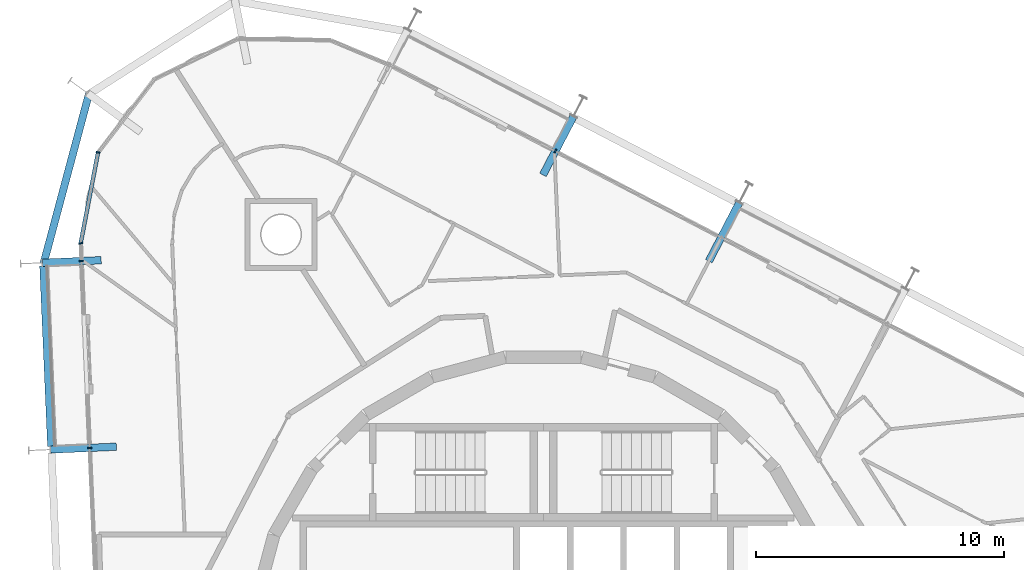
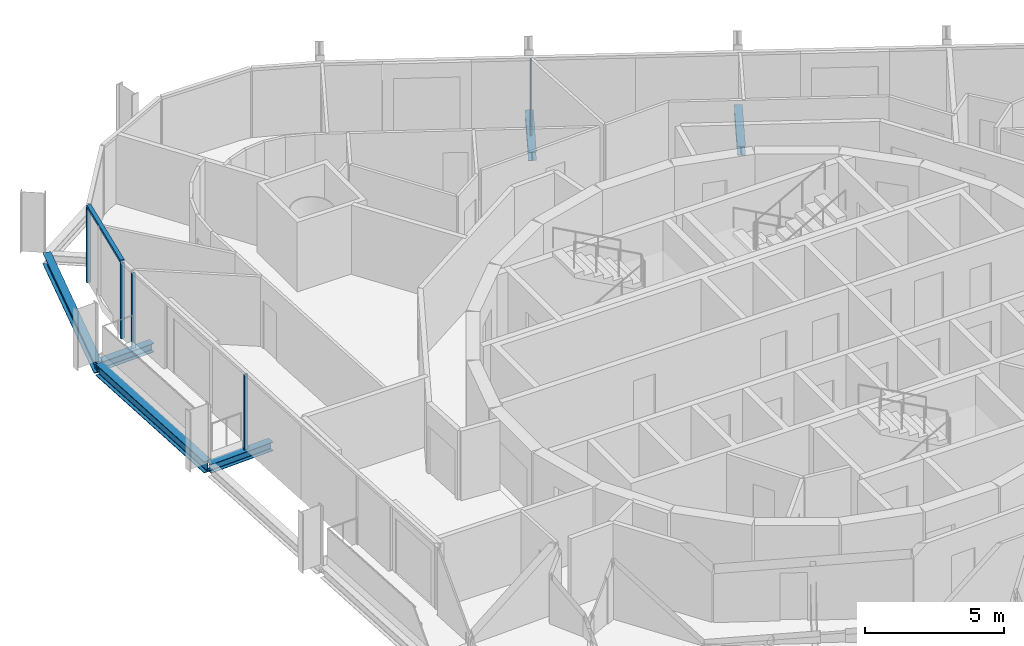
# One storey, part 6 of 18: 6 beams, 6 members, 3 elements without a shape of their own.
"""IFC4 building model written with IfcOpenShell, lengths in metres."""

from ifc_helpers import new_model, si_unit, direction, frame, origin, origin_2d, place, context, subcontext, project, spatial, rectangle, i_section, extrude, material, layer, layer_set, material_profile, profile_set, type_object, element, aggregate, save


model = new_model("IFC4")

# Units and contexts
model_context = context("Model", 3, precision=1e-05, world=origin(), true_north=direction((0.0, 1.0)))
body_context = subcontext(model_context, "Body", "Model", "MODEL_VIEW")
ifc_project = project(units=[si_unit("LENGTHUNIT", "METRE"), si_unit("AREAUNIT", "SQUARE_METRE"), si_unit("VOLUMEUNIT", "CUBIC_METRE"), si_unit("PLANEANGLEUNIT", "RADIAN"), si_unit("MASSUNIT", "GRAM", prefix="KILO")], contexts=[model_context])

# Site, building, storey
site_placement = place(None, origin())
site = spatial("IfcSite", under=ifc_project, at=site_placement, CompositionType="ELEMENT")
building_placement = place(site_placement, origin())
building = spatial("IfcBuilding", under=site, at=building_placement, Name="Spindle Arch Residences", CompositionType="ELEMENT")
storey_placement = place(building_placement, frame((0.0, 0.0, 254.699951171875)))
storey = spatial("IfcBuildingStorey", under=building, at=storey_placement, Name="L65", CompositionType="ELEMENT", Elevation=254.699951171875)

# Curtain wall, member
ifc_material_1 = material(Name="Aluminium bronze unitised frame with tinted glass", Category="aluminium")
ifc_layer_1 = layer(ifc_material_1, 0.159912109375)
ifc_layer_set_1 = layer_set([ifc_layer_1], Name="CW-C typical residential unitised wall")
curtain_wall_type_1 = type_object("IfcCurtainWallType", Name="CW-C typical residential unitised wall", PredefinedType="NOTDEFINED", material=ifc_layer_set_1)
curtain_wall_1_placement = place(storey_placement, origin())
curtain_wall_1 = element("IfcCurtainWall", 1, at=curtain_wall_1_placement, inside=storey, type_object=curtain_wall_type_1, Name="CW-C L65 run 2", PredefinedType="NOTDEFINED")
ifc_material_2 = material(Name="Aluminium bronze anodised mullion", Category="aluminium")
ifc_material_profile_1 = material_profile(ifc_material_2, rectangle(XDim=0.159912109375, YDim=0.06005859375, at=origin_2d()), Name="MU 60x160")
ifc_profile_set_1 = profile_set([ifc_material_profile_1], Name="Aluminium bronze anodised mullion")
member_type_1 = type_object("IfcMemberType", Name="Bronze mullion 60x160", PredefinedType="MULLION", material=ifc_profile_set_1)
member_1_placement = place(storey_placement, frame((0.4794921875, 19.94677734375, -0.3798828125), z_axis=(0.0, 0.0, 1.0), x_axis=(-0.461748613235, -0.887010833178, 0.0)))
member_1 = element("IfcMember", 2, at=member_1_placement, type_object=member_type_1, Name="CW-C mullion 08", PredefinedType="MULLION", context=body_context, shape_type="SweptSolid", body=[
    extrude(rectangle(XDim=0.159912109375, YDim=0.06005859375, at=origin_2d()), origin(), (0.0, 0.0, 1.0), 3.309814453125),
])
aggregate(curtain_wall_1, [member_1])

# Curtain wall, members
ifc_material_3 = material(Name="Aluminium bronze unitised frame with tinted glass", Category="aluminium")
ifc_layer_2 = layer(ifc_material_3, 0.159912109375)
ifc_layer_set_2 = layer_set([ifc_layer_2], Name="CW-D corner wall on the fillet arcs")
curtain_wall_type_2 = type_object("IfcCurtainWallType", Name="CW-D corner wall on the fillet arcs", PredefinedType="NOTDEFINED", material=ifc_layer_set_2)
curtain_wall_2_placement = place(storey_placement, origin())
curtain_wall_2 = element("IfcCurtainWall", 3, at=curtain_wall_2_placement, inside=storey, type_object=curtain_wall_type_2, Name="CW-D L65 run 3", PredefinedType="NOTDEFINED")
member_2_placement = place(storey_placement, frame((-17.93994140625, 19.896240234375, -0.3798828125), z_axis=(0.0, 0.0, 1.0), x_axis=(0.982178070104, -0.187952756314, 0.0)))
member_2 = element("IfcMember", 4, at=member_2_placement, type_object=member_type_1, Name="CW-D mullion 04", PredefinedType="MULLION", context=body_context, shape_type="SweptSolid", body=[
    extrude(rectangle(XDim=0.159912109375, YDim=0.06005859375, at=origin_2d()), origin(), (0.0, 0.0, 1.0), 3.309814453125),
])
member_3_placement = place(storey_placement, frame((-18.640380859375, 16.236083984375, -0.3798828125), z_axis=(0.0, 0.0, 1.0), x_axis=(0.999048221582, 0.043619387365, 0.0)))
member_3 = element("IfcMember", 5, at=member_3_placement, type_object=member_type_1, Name="CW-D mullion 05", PredefinedType="MULLION", context=body_context, shape_type="SweptSolid", body=[
    extrude(rectangle(XDim=0.159912109375, YDim=0.06005859375, at=origin_2d()), origin(), (0.0, 0.0, 1.0), 3.309814453125),
])

curtain_wall_3_placement = place(storey_placement, origin())
curtain_wall_3 = element("IfcCurtainWall", 6, at=curtain_wall_3_placement, inside=storey, type_object=curtain_wall_type_1, Name="CW-C L65 run 4", PredefinedType="NOTDEFINED")
member_4_placement = place(storey_placement, frame((-18.60888671875, 15.518310546875, -0.3798828125), z_axis=(0.0, 0.0, 1.0), x_axis=(0.999048221582, 0.043619387365, 0.0)))
member_4 = element("IfcMember", 7, at=member_4_placement, type_object=member_type_1, Name="CW-C mullion 12", PredefinedType="MULLION", context=body_context, shape_type="SweptSolid", body=[
    extrude(rectangle(XDim=0.159912109375, YDim=0.06005859375, at=origin_2d()), origin(), (0.0, 0.0, 1.0), 3.309814453125),
])
member_5_placement = place(storey_placement, frame((-18.280517578125, 7.995361328125, -0.3798828125), z_axis=(0.0, 0.0, 1.0), x_axis=(0.999048221582, 0.043619387365, 0.0)))
member_5 = element("IfcMember", 8, at=member_5_placement, type_object=member_type_1, Name="CW-C mullion 13", PredefinedType="MULLION", context=body_context, shape_type="SweptSolid", body=[
    extrude(rectangle(XDim=0.159912109375, YDim=0.06005859375, at=origin_2d()), origin(), (0.0, 0.0, 1.0), 3.309814453125),
])
aggregate(curtain_wall_3, [member_4, member_5])

# Member
ifc_material_4 = material(Name="Aluminium bronze anodised transom", Category="aluminium")
ifc_material_profile_2 = material_profile(ifc_material_4, rectangle(XDim=0.159912109375, YDim=0.1201171875, at=origin_2d()), Name="TR 120x160")
ifc_profile_set_2 = profile_set([ifc_material_profile_2], Name="Aluminium bronze anodised transom")
member_type_2 = type_object("IfcMemberType", Name="Bronze transom 120x160", PredefinedType="USERDEFINED", material=ifc_profile_set_2)
member_6_placement = place(storey_placement, frame((-17.945556640625, 19.866943359375, 2.989990234375), z_axis=(-0.187953386096, -0.982177949587, 0.0), x_axis=(0.982177949587, -0.187953386096, 0.0)))
member_6 = element("IfcMember", 9, at=member_6_placement, type_object=member_type_2, Name="CW-D transom 04", ObjectType="TRANSOM", PredefinedType="USERDEFINED", context=body_context, shape_type="SweptSolid", body=[
    extrude(rectangle(XDim=0.159912109375, YDim=0.1201171875, at=origin_2d()), origin(), (0.0, 0.0, 1.0), 3.6669921875),
])

aggregate(curtain_wall_2, [member_2, member_6, member_3])

# Beams
ifc_material_5 = material(Name="Steel S460ML, intumescent coating R 120", Category="steel")
ifc_material_profile_3 = material_profile(ifc_material_5, i_section(OverallWidth=0.300048828125, OverallDepth=0.5, WebThickness=0.014404296875, FlangeThickness=0.028076171875, FilletRadius=0.027099609375, at=origin_2d()), Name="HEB 500")
ifc_profile_set_3 = profile_set([ifc_material_profile_3], Name="Steel S460ML, intumescent coating R 120")
beam_type_1 = type_object("IfcBeamType", Name="Exoskeleton edge beam HEB 500", PredefinedType="BEAM", material=ifc_profile_set_3)
beam_1_placement = place(storey_placement, frame((-18.298583984375, 22.28076171875, -0.6298828125), z_axis=(-0.25832557076, -0.966057917255, 0.0), x_axis=(0.966057917255, -0.25832557076, 0.0)))
element("IfcBeam", 10, at=beam_1_placement, inside=storey, type_object=beam_type_1, Name="Exoskeleton edge beam 12", PredefinedType="BEAM", context=body_context, shape_type="SweptSolid", body=[
    extrude(i_section(OverallWidth=0.300048828125, OverallDepth=0.5, WebThickness=0.014404296875, FlangeThickness=0.028076171875, FilletRadius=0.027099609375, at=origin_2d()), origin(), (0.0, 0.0, 1.0), 7.105224609375),
])
beam_2_placement = place(storey_placement, frame((-20.141845703125, 15.3212890625, -0.6298828125), z_axis=(0.043622301665, -0.999048094337, 0.0), x_axis=(0.999048094337, 0.043622301665, 0.0)))
element("IfcBeam", 11, at=beam_2_placement, inside=storey, type_object=beam_type_1, Name="Exoskeleton edge beam 13", PredefinedType="BEAM", context=body_context, shape_type="SweptSolid", body=[
    extrude(i_section(OverallWidth=0.300048828125, OverallDepth=0.5, WebThickness=0.014404296875, FlangeThickness=0.028076171875, FilletRadius=0.027099609375, at=origin_2d()), origin(), (0.0, 0.0, 1.0), 7.27001953125),
])
ifc_material_6 = material(Name="Steel S460ML, intumescent coating R 120", Category="steel")
ifc_material_profile_4 = material_profile(ifc_material_6, i_section(OverallWidth=0.300048828125, OverallDepth=0.389892578125, WebThickness=0.010986328125, FlangeThickness=0.01904296875, FilletRadius=0.027099609375, at=origin_2d()), Name="HEA 400")
ifc_profile_set_4 = profile_set([ifc_material_profile_4], Name="Steel S460ML, intumescent coating R 120")
beam_type_2 = type_object("IfcBeamType", Name="Floor outrigger HEA 400", PredefinedType="BEAM", material=ifc_profile_set_4)
for number, where, z_axis, x_axis, name in (
    (12, (7.883544921875, 17.8623046875, -0.574951171875), (-0.461747195222, -0.887011571348, 0.0), (0.887011571348, -0.461747195222, 0.0), "Floor outrigger 8"),
    (13, (1.204345703125, 21.33935546875, -0.574951171875), (-0.461747195222, -0.887011571348, 0.0), (0.887011571348, -0.461747195222, 0.0), "Floor outrigger 9"),
):
    element("IfcBeam", number, at=place(storey_placement, frame(where, z_axis=z_axis, x_axis=x_axis)), inside=storey, type_object=beam_type_2, Name=name, PredefinedType="BEAM", context=body_context, shape_type="SweptSolid", body=[
        extrude(i_section(OverallWidth=0.300048828125, OverallDepth=0.389892578125, WebThickness=0.010986328125, FlangeThickness=0.01904296875, FilletRadius=0.027099609375, at=origin_2d()), origin(), (0.0, 0.0, 1.0), 2.64990234375),
    ])
beam_3_placement = place(storey_placement, frame((-20.177490234375, 15.44970703125, -0.574951171875), z_axis=(0.999047575201, 0.043634189397, 0.0), x_axis=(-0.043634189397, 0.999047575201, 0.0)))
element("IfcBeam", 14, at=beam_3_placement, inside=storey, type_object=beam_type_2, Name="Floor outrigger 13", PredefinedType="BEAM", context=body_context, shape_type="SweptSolid", body=[
    extrude(i_section(OverallWidth=0.300048828125, OverallDepth=0.389892578125, WebThickness=0.010986328125, FlangeThickness=0.01904296875, FilletRadius=0.027099609375, at=origin_2d()), origin(), (0.0, 0.0, 1.0), 2.36669921875),
])
beam_4_placement = place(storey_placement, frame((-19.84912109375, 7.9267578125, -0.574951171875), z_axis=(0.999046049411, 0.043669109869, 0.0), x_axis=(-0.043669109869, 0.999046049411, 0.0)))
element("IfcBeam", 15, at=beam_4_placement, inside=storey, type_object=beam_type_2, Name="Floor outrigger 14", PredefinedType="BEAM", context=body_context, shape_type="SweptSolid", body=[
    extrude(i_section(OverallWidth=0.300048828125, OverallDepth=0.389892578125, WebThickness=0.010986328125, FlangeThickness=0.01904296875, FilletRadius=0.027099609375, at=origin_2d()), origin(), (0.0, 0.0, 1.0), 2.64990234375),
])

save(model, "model.ifc")
